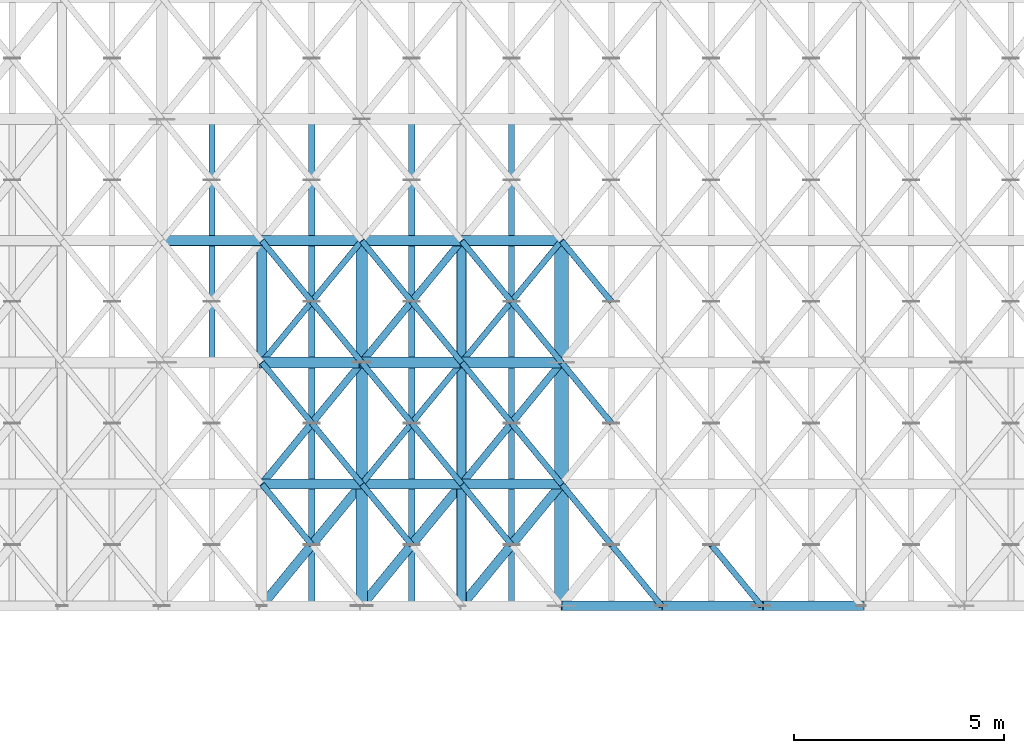
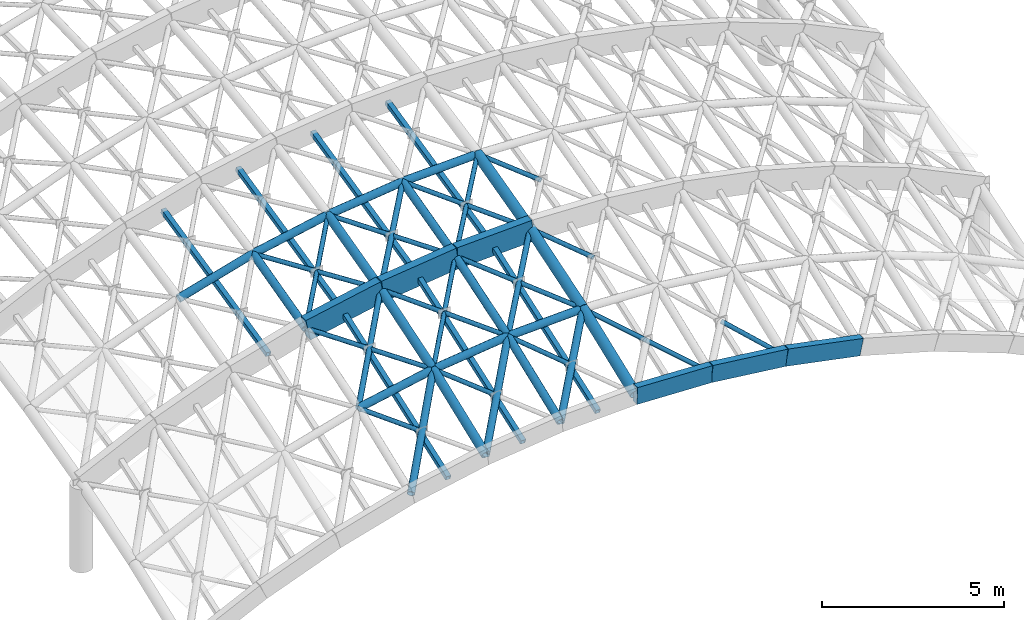
# One storey, part 35 of 146: 53 members, 6 beams.
"""IFC4 building model written with IfcOpenShell, lengths in metres."""

from ifc_helpers import new_model, si_unit, direction, frame, origin, origin_2d, place, context, subcontext, project, spatial, rectangle, hollow_rectangle, hollow_circle, extrude, material, material_profile, profile_set, type_object, element, save


model = new_model("IFC4")

# Units and contexts
model_context = context("Model", 3, precision=1e-05, world=origin(), true_north=direction((0.0, 1.0)))
body_context = subcontext(model_context, "Body", "Model", "MODEL_VIEW")
ifc_project = project(units=[si_unit("LENGTHUNIT", "METRE"), si_unit("AREAUNIT", "SQUARE_METRE"), si_unit("VOLUMEUNIT", "CUBIC_METRE"), si_unit("PLANEANGLEUNIT", "RADIAN"), si_unit("MASSUNIT", "GRAM", prefix="KILO")], contexts=[model_context])

# Site, building, storey
site_placement = place(None, origin())
site = spatial("IfcSite", under=ifc_project, at=site_placement, CompositionType="ELEMENT")
building_placement = place(site_placement, origin())
building = spatial("IfcBuilding", under=site, at=building_placement, Name="Valcora Specialist Clinic", CompositionType="ELEMENT")
storey_placement = place(building_placement, frame((0.0, 0.0, 9.52001953125)))
storey = spatial("IfcBuildingStorey", under=building, at=storey_placement, Name="L02", CompositionType="ELEMENT", Elevation=9.52001953125)

# Beams
ifc_material_1 = material(Name="Glulam Conifer Class 24F", Category="wood")
ifc_material_profile_1 = material_profile(ifc_material_1, rectangle(XDim=0.219970703125, YDim=0.56005859375, at=origin_2d()), Name="GL-ARC-220X560")
ifc_profile_set_1 = profile_set([ifc_material_profile_1], Name="Glulam Conifer Class 24F")
beam_type_1 = type_object("IfcBeamType", Name="TY-AR-GL560", PredefinedType="JOIST", material=ifc_profile_set_1)
beam_1_placement = place(storey_placement, frame((15.0, 38.75, 4.295166015625), z_axis=(0.999229898969, 0.0, -0.039237851707), x_axis=(0.0, 1.0, 0.0)))
element("IfcBeam", 1, at=beam_1_placement, inside=storey, type_object=beam_type_1, Name="Gridshell glulam arch chord BM-GSA-007", PredefinedType="JOIST", context=body_context, shape_type="SweptSolid", body=[
    extrude(rectangle(XDim=0.219970703125, YDim=0.56005859375, at=origin_2d()), origin(), (0.0, 0.0, 1.0), 2.376708984375),
])
beam_2_placement = place(storey_placement, frame((17.375, 38.75, 4.201904296875), z_axis=(0.993061123194, 0.0, -0.117599343536), x_axis=(0.0, 1.0, 0.0)))
element("IfcBeam", 2, at=beam_2_placement, inside=storey, type_object=beam_type_1, Name="Gridshell glulam arch chord BM-GSA-008", PredefinedType="JOIST", context=body_context, shape_type="SweptSolid", body=[
    extrude(rectangle(XDim=0.219970703125, YDim=0.56005859375, at=origin_2d()), origin(), (0.0, 0.0, 1.0), 2.3916015625),
])
beam_3_placement = place(storey_placement, frame((19.75, 38.75, 3.920654296875), z_axis=(0.980592304853, 0.0, -0.19605798036), x_axis=(0.0, 1.0, 0.0)))
element("IfcBeam", 3, at=beam_3_placement, inside=storey, type_object=beam_type_1, Name="Gridshell glulam arch chord BM-GSA-009", PredefinedType="JOIST", context=body_context, shape_type="SweptSolid", body=[
    extrude(rectangle(XDim=0.219970703125, YDim=0.56005859375, at=origin_2d()), origin(), (0.0, 0.0, 1.0), 2.422119140625),
])
ifc_material_profile_2 = material_profile(ifc_material_1, rectangle(XDim=0.260009765625, YDim=0.719970703125, at=origin_2d()), Name="GL-ARC-260X720")
ifc_profile_set_2 = profile_set([ifc_material_profile_2], Name="Glulam Conifer Class 24F")
beam_type_2 = type_object("IfcBeamType", Name="TY-AR-GL720", PredefinedType="JOIST", material=ifc_profile_set_2)
beam_4_placement = place(storey_placement, frame((7.875, 44.535888671875, 5.498779296875), z_axis=(0.980611679738, 0.0, 0.195961051132), x_axis=(0.0, 1.0, 0.0)))
element("IfcBeam", 4, at=beam_4_placement, inside=storey, type_object=beam_type_2, Name="Gridshell glulam arch chord BM-GSA-016", PredefinedType="JOIST", context=body_context, shape_type="SweptSolid", body=[
    extrude(rectangle(XDim=0.260009765625, YDim=0.719970703125, at=origin_2d()), origin(), (0.0, 0.0, 1.0), 2.421875),
])
beam_5_placement = place(storey_placement, frame((10.25, 44.535888671875, 5.973388671875), z_axis=(0.993061123194, 0.0, 0.117599343536), x_axis=(0.0, 1.0, 0.0)))
element("IfcBeam", 5, at=beam_5_placement, inside=storey, type_object=beam_type_2, Name="Gridshell glulam arch chord BM-GSA-017", PredefinedType="JOIST", context=body_context, shape_type="SweptSolid", body=[
    extrude(rectangle(XDim=0.260009765625, YDim=0.719970703125, at=origin_2d()), origin(), (0.0, 0.0, 1.0), 2.3916015625),
])
beam_6_placement = place(storey_placement, frame((12.625, 44.535888671875, 6.254638671875), z_axis=(0.999229898969, 0.0, 0.039237851707), x_axis=(0.0, 1.0, 0.0)))
element("IfcBeam", 6, at=beam_6_placement, inside=storey, type_object=beam_type_2, Name="Gridshell glulam arch chord BM-GSA-018", PredefinedType="JOIST", context=body_context, shape_type="SweptSolid", body=[
    extrude(rectangle(XDim=0.260009765625, YDim=0.719970703125, at=origin_2d()), origin(), (0.0, 0.0, 1.0), 2.376708984375),
])

# Members
ifc_material_2 = material(Name="Steel ASTM A500 Grade C", Category="steel")
ifc_material_profile_3 = material_profile(ifc_material_2, hollow_circle(Radius=0.1220703125, WallThickness=0.010009765625, at=origin_2d()), Name="ST-CHS-244X10")
ifc_profile_set_3 = profile_set([ifc_material_profile_3], Name="Steel ASTM A500 Grade C")
member_type_1 = type_object("IfcMemberType", Name="TY-MB-GSC244", PredefinedType="CHORD", material=ifc_profile_set_3)
member_1_placement = place(storey_placement, frame((7.875, 44.535888671875, 5.498779296875), z_axis=(0.0, 0.968140082086, 0.250409227983), x_axis=(-1.0, 0.0, 0.0)))
element("IfcMember", 7, at=member_1_placement, inside=storey, type_object=member_type_1, Name="Gridshell longitudinal chord MB-L02-0045", PredefinedType="CHORD", context=body_context, shape_type="SweptSolid", body=[
    extrude(hollow_circle(Radius=0.1220703125, WallThickness=0.010009765625, at=origin_2d()), origin(), (0.0, 0.0, 1.0), 2.98828125),
])
member_2_placement = place(storey_placement, frame((12.625, 38.75, 4.201904296875), z_axis=(0.0, 0.93227902247, 0.361739995386), x_axis=(-1.0, 0.0, 0.0)))
element("IfcMember", 8, at=member_2_placement, inside=storey, type_object=member_type_1, Name="Gridshell longitudinal chord MB-L02-0071", PredefinedType="CHORD", context=body_context, shape_type="SweptSolid", body=[
    extrude(hollow_circle(Radius=0.1220703125, WallThickness=0.010009765625, at=origin_2d()), origin(), (0.0, 0.0, 1.0), 3.103271484375),
])
member_3_placement = place(storey_placement, frame((12.625, 41.64306640625, 5.324462890625), z_axis=(0.0, 0.95199595387, 0.30611060716), x_axis=(-1.0, 0.0, 0.0)))
element("IfcMember", 9, at=member_3_placement, inside=storey, type_object=member_type_1, Name="Gridshell longitudinal chord MB-L02-0072", PredefinedType="CHORD", context=body_context, shape_type="SweptSolid", body=[
    extrude(hollow_circle(Radius=0.1220703125, WallThickness=0.010009765625, at=origin_2d()), origin(), (0.0, 0.0, 1.0), 3.03857421875),
])
member_4_placement = place(storey_placement, frame((12.625, 44.535888671875, 6.254638671875), z_axis=(0.0, 0.968120272933, 0.250485802263), x_axis=(-1.0, 0.0, 0.0)))
element("IfcMember", 10, at=member_4_placement, inside=storey, type_object=member_type_1, Name="Gridshell longitudinal chord MB-L02-0073", PredefinedType="CHORD", context=body_context, shape_type="SweptSolid", body=[
    extrude(hollow_circle(Radius=0.1220703125, WallThickness=0.010009765625, at=origin_2d()), origin(), (0.0, 0.0, 1.0), 2.98828125),
])
member_5_placement = place(storey_placement, frame((7.875, 41.64306640625, 4.568359375), z_axis=(0.980592304853, 0.0, 0.19605798036), x_axis=(0.0, 1.0, 0.0)))
element("IfcMember", 11, at=member_5_placement, inside=storey, type_object=member_type_1, Name="Gridshell secondary transverse chord MB-L02-0270", PredefinedType="CHORD", context=body_context, shape_type="SweptSolid", body=[
    extrude(hollow_circle(Radius=0.1220703125, WallThickness=0.010009765625, at=origin_2d()), origin(), (0.0, 0.0, 1.0), 2.422119140625),
])
member_6_placement = place(storey_placement, frame((10.25, 41.64306640625, 5.043212890625), z_axis=(0.993061123194, 0.0, 0.117599343536), x_axis=(0.0, 1.0, 0.0)))
element("IfcMember", 12, at=member_6_placement, inside=storey, type_object=member_type_1, Name="Gridshell secondary transverse chord MB-L02-0271", PredefinedType="CHORD", context=body_context, shape_type="SweptSolid", body=[
    extrude(hollow_circle(Radius=0.1220703125, WallThickness=0.010009765625, at=origin_2d()), origin(), (0.0, 0.0, 1.0), 2.3916015625),
])
member_7_placement = place(storey_placement, frame((12.625, 41.64306640625, 5.324462890625), z_axis=(0.999229898969, 0.0, 0.039237851707), x_axis=(0.0, 1.0, 0.0)))
element("IfcMember", 13, at=member_7_placement, inside=storey, type_object=member_type_1, Name="Gridshell secondary transverse chord MB-L02-0272", PredefinedType="CHORD", context=body_context, shape_type="SweptSolid", body=[
    extrude(hollow_circle(Radius=0.1220703125, WallThickness=0.010009765625, at=origin_2d()), origin(), (0.0, 0.0, 1.0), 2.376708984375),
])
member_8_placement = place(storey_placement, frame((5.5, 47.428955078125, 5.5693359375), z_axis=(0.961613421173, 0.0, 0.274407777259), x_axis=(0.0, 1.0, 0.0)))
element("IfcMember", 14, at=member_8_placement, inside=storey, type_object=member_type_1, Name="Gridshell secondary transverse chord MB-L02-0281", PredefinedType="CHORD", context=body_context, shape_type="SweptSolid", body=[
    extrude(hollow_circle(Radius=0.1220703125, WallThickness=0.010009765625, at=origin_2d()), origin(), (0.0, 0.0, 1.0), 2.4697265625),
])
member_9_placement = place(storey_placement, frame((7.875, 47.428955078125, 6.2470703125), z_axis=(0.980611679738, 0.0, 0.195961051132), x_axis=(0.0, 1.0, 0.0)))
element("IfcMember", 15, at=member_9_placement, inside=storey, type_object=member_type_1, Name="Gridshell secondary transverse chord MB-L02-0282", PredefinedType="CHORD", context=body_context, shape_type="SweptSolid", body=[
    extrude(hollow_circle(Radius=0.1220703125, WallThickness=0.010009765625, at=origin_2d()), origin(), (0.0, 0.0, 1.0), 2.421875),
])
member_10_placement = place(storey_placement, frame((10.25, 47.428955078125, 6.7216796875), z_axis=(0.993049196669, 0.0, 0.117700012722), x_axis=(0.0, 1.0, 0.0)))
element("IfcMember", 16, at=member_10_placement, inside=storey, type_object=member_type_1, Name="Gridshell secondary transverse chord MB-L02-0283", PredefinedType="CHORD", context=body_context, shape_type="SweptSolid", body=[
    extrude(hollow_circle(Radius=0.1220703125, WallThickness=0.010009765625, at=origin_2d()), origin(), (0.0, 0.0, 1.0), 2.3916015625),
])
member_11_placement = place(storey_placement, frame((12.625, 47.428955078125, 7.003173828125), z_axis=(0.999233921008, 0.0, 0.039135292342), x_axis=(0.0, 1.0, 0.0)))
element("IfcMember", 17, at=member_11_placement, inside=storey, type_object=member_type_1, Name="Gridshell secondary transverse chord MB-L02-0284", PredefinedType="CHORD", context=body_context, shape_type="SweptSolid", body=[
    extrude(hollow_circle(Radius=0.1220703125, WallThickness=0.010009765625, at=origin_2d()), origin(), (0.0, 0.0, 1.0), 2.376708984375),
])
ifc_material_profile_4 = material_profile(ifc_material_2, hollow_circle(Radius=0.136474609375, WallThickness=0.011962890625, at=origin_2d()), Name="ST-CHS-273X12")
ifc_profile_set_4 = profile_set([ifc_material_profile_4], Name="Steel ASTM A500 Grade C")
member_type_2 = type_object("IfcMemberType", Name="TY-MB-GSC273", PredefinedType="CHORD", material=ifc_profile_set_4)
member_12_placement = place(storey_placement, frame((10.25, 38.75, 3.920654296875), z_axis=(0.0, 0.93227902247, 0.361739995386), x_axis=(-1.0, 0.0, 0.0)))
element("IfcMember", 18, at=member_12_placement, inside=storey, type_object=member_type_2, Name="Gridshell longitudinal chord MB-L02-0057", PredefinedType="CHORD", context=body_context, shape_type="SweptSolid", body=[
    extrude(hollow_circle(Radius=0.136474609375, WallThickness=0.011962890625, at=origin_2d()), origin(), (0.0, 0.0, 1.0), 3.103271484375),
])
member_13_placement = place(storey_placement, frame((10.25, 41.64306640625, 5.043212890625), z_axis=(0.0, 0.95199595387, 0.30611060716), x_axis=(-1.0, 0.0, 0.0)))
element("IfcMember", 19, at=member_13_placement, inside=storey, type_object=member_type_2, Name="Gridshell longitudinal chord MB-L02-0058", PredefinedType="CHORD", context=body_context, shape_type="SweptSolid", body=[
    extrude(hollow_circle(Radius=0.136474609375, WallThickness=0.011962890625, at=origin_2d()), origin(), (0.0, 0.0, 1.0), 3.03857421875),
])
member_14_placement = place(storey_placement, frame((10.25, 44.535888671875, 5.973388671875), z_axis=(0.0, 0.968140082086, 0.250409227983), x_axis=(-1.0, 0.0, 0.0)))
element("IfcMember", 20, at=member_14_placement, inside=storey, type_object=member_type_2, Name="Gridshell longitudinal chord MB-L02-0059", PredefinedType="CHORD", context=body_context, shape_type="SweptSolid", body=[
    extrude(hollow_circle(Radius=0.136474609375, WallThickness=0.011962890625, at=origin_2d()), origin(), (0.0, 0.0, 1.0), 2.98828125),
])
ifc_material_profile_5 = material_profile(ifc_material_2, hollow_circle(Radius=0.162109375, WallThickness=0.011962890625, at=origin_2d()), Name="ST-CHS-324X12")
ifc_profile_set_5 = profile_set([ifc_material_profile_5], Name="Steel ASTM A500 Grade C")
member_type_3 = type_object("IfcMemberType", Name="TY-MB-GSC324", PredefinedType="CHORD", material=ifc_profile_set_5)
member_15_placement = place(storey_placement, frame((15.0, 38.75, 4.295166015625), z_axis=(0.0, 0.93227902247, 0.361739995386), x_axis=(-1.0, 0.0, 0.0)))
element("IfcMember", 21, at=member_15_placement, inside=storey, type_object=member_type_3, Name="Gridshell longitudinal chord MB-L02-0085", PredefinedType="CHORD", context=body_context, shape_type="SweptSolid", body=[
    extrude(hollow_circle(Radius=0.162109375, WallThickness=0.011962890625, at=origin_2d()), origin(), (0.0, 0.0, 1.0), 3.103271484375),
])
member_16_placement = place(storey_placement, frame((15.0, 41.64306640625, 5.417724609375), z_axis=(0.0, 0.95199595387, 0.30611060716), x_axis=(-1.0, 0.0, 0.0)))
element("IfcMember", 22, at=member_16_placement, inside=storey, type_object=member_type_3, Name="Gridshell longitudinal chord MB-L02-0086", PredefinedType="CHORD", context=body_context, shape_type="SweptSolid", body=[
    extrude(hollow_circle(Radius=0.162109375, WallThickness=0.011962890625, at=origin_2d()), origin(), (0.0, 0.0, 1.0), 3.03857421875),
])
member_17_placement = place(storey_placement, frame((15.0, 44.535888671875, 6.347900390625), z_axis=(0.0, 0.968140082086, 0.250409227983), x_axis=(-1.0, 0.0, 0.0)))
element("IfcMember", 23, at=member_17_placement, inside=storey, type_object=member_type_3, Name="Gridshell longitudinal chord MB-L02-0087", PredefinedType="CHORD", context=body_context, shape_type="SweptSolid", body=[
    extrude(hollow_circle(Radius=0.162109375, WallThickness=0.011962890625, at=origin_2d()), origin(), (0.0, 0.0, 1.0), 2.98828125),
])
ifc_material_profile_6 = material_profile(ifc_material_2, hollow_circle(Radius=0.070068359375, WallThickness=0.006103515625, at=origin_2d()), Name="ST-CHS-140X6")
ifc_profile_set_6 = profile_set([ifc_material_profile_6], Name="Steel ASTM A500 Grade C")
member_type_4 = type_object("IfcMemberType", Name="TY-MB-GSD140", PredefinedType="BRACE", material=ifc_profile_set_6)
member_18_placement = place(storey_placement, frame((10.25, 41.64306640625, 5.043212890625), z_axis=(-0.62986050141, 0.767254003053, 0.120818225291), x_axis=(-0.772915884105, -0.634508499626, 0.0)))
element("IfcMember", 24, at=member_18_placement, inside=storey, type_object=member_type_4, Name="Gridshell split counter diagrid A MB-L02-0438", PredefinedType="BRACE", context=body_context, shape_type="SweptSolid", body=[
    extrude(hollow_circle(Radius=0.070068359375, WallThickness=0.006103515625, at=origin_2d()), origin(), (0.0, 0.0, 1.0), 1.88525390625),
])
member_19_placement = place(storey_placement, frame((7.875, 44.535888671875, 5.498779296875), z_axis=(0.60313497592, 0.734698752534, 0.310557472696), x_axis=(-0.772915884105, 0.634508499626, 0.0)))
element("IfcMember", 25, at=member_19_placement, inside=storey, type_object=member_type_4, Name="Gridshell primary diagrid MB-L02-0439", PredefinedType="BRACE", context=body_context, shape_type="SweptSolid", body=[
    extrude(hollow_circle(Radius=0.070068359375, WallThickness=0.006103515625, at=origin_2d()), origin(), (0.0, 0.0, 1.0), 3.937744140625),
])
member_20_placement = place(storey_placement, frame((10.25, 44.535888671875, 5.973388671875), z_axis=(-0.632816186426, 0.770854421171, 0.072987228739), x_axis=(-0.772915884105, -0.634508499626, 0.0)))
element("IfcMember", 26, at=member_20_placement, inside=storey, type_object=member_type_4, Name="Gridshell split counter diagrid A MB-L02-0440", PredefinedType="BRACE", context=body_context, shape_type="SweptSolid", body=[
    extrude(hollow_circle(Radius=0.070068359375, WallThickness=0.006103515625, at=origin_2d()), origin(), (0.0, 0.0, 1.0), 1.87646484375),
])
member_21_placement = place(storey_placement, frame((10.25, 41.64306640625, 5.043212890625), z_axis=(0.603706513759, 0.735332903118, 0.307935004243), x_axis=(-0.772889622479, 0.634540488436, 0.0)))
element("IfcMember", 27, at=member_21_placement, inside=storey, type_object=member_type_4, Name="Gridshell primary diagrid MB-L02-0465", PredefinedType="BRACE", context=body_context, shape_type="SweptSolid", body=[
    extrude(hollow_circle(Radius=0.070068359375, WallThickness=0.006103515625, at=origin_2d()), origin(), (0.0, 0.0, 1.0), 3.93408203125),
])
member_22_placement = place(storey_placement, frame((12.625, 41.64306640625, 5.324462890625), z_axis=(-0.625182669636, 0.761555780755, 0.170819853607), x_axis=(-0.772915884105, -0.634508499626, 0.0)))
element("IfcMember", 28, at=member_22_placement, inside=storey, type_object=member_type_4, Name="Gridshell split counter diagrid A MB-L02-0466", PredefinedType="BRACE", context=body_context, shape_type="SweptSolid", body=[
    extrude(hollow_circle(Radius=0.070068359375, WallThickness=0.006103515625, at=origin_2d()), origin(), (0.0, 0.0, 1.0), 1.8994140625),
])
member_23_placement = place(storey_placement, frame((12.625, 44.535888671875, 6.254638671875), z_axis=(-0.629621091913, 0.766962370391, 0.123878985395), x_axis=(-0.772915884105, -0.634508499626, 0.0)))
element("IfcMember", 29, at=member_23_placement, inside=storey, type_object=member_type_4, Name="Gridshell split counter diagrid A MB-L02-0468", PredefinedType="BRACE", context=body_context, shape_type="SweptSolid", body=[
    extrude(hollow_circle(Radius=0.070068359375, WallThickness=0.006103515625, at=origin_2d()), origin(), (0.0, 0.0, 1.0), 1.885986328125),
])
member_24_placement = place(storey_placement, frame((15.0, 41.64306640625, 5.417724609375), z_axis=(-0.619218948621, 0.75429117405, 0.218203387734), x_axis=(-0.772915884105, -0.634508499626, 0.0)))
element("IfcMember", 30, at=member_24_placement, inside=storey, type_object=member_type_4, Name="Gridshell split counter diagrid A MB-L02-0494", PredefinedType="BRACE", context=body_context, shape_type="SweptSolid", body=[
    extrude(hollow_circle(Radius=0.070068359375, WallThickness=0.006103515625, at=origin_2d()), origin(), (0.0, 0.0, 1.0), 1.917724609375),
])
member_25_placement = place(storey_placement, frame((12.625, 44.535888671875, 6.254638671875), z_axis=(0.619055150261, 0.754091645826, 0.219354759761), x_axis=(-0.772915884105, 0.634508499626, 0.0)))
element("IfcMember", 31, at=member_25_placement, inside=storey, type_object=member_type_4, Name="Gridshell primary diagrid MB-L02-0495", PredefinedType="BRACE", context=body_context, shape_type="SweptSolid", body=[
    extrude(hollow_circle(Radius=0.070068359375, WallThickness=0.006103515625, at=origin_2d()), origin(), (0.0, 0.0, 1.0), 3.83642578125),
])
member_26_placement = place(storey_placement, frame((15.0, 44.535888671875, 6.347900390625), z_axis=(-0.625003429978, 0.761337442973, 0.172441324636), x_axis=(-0.772915884105, -0.634508499626, 0.0)))
element("IfcMember", 32, at=member_26_placement, inside=storey, type_object=member_type_4, Name="Gridshell split counter diagrid A MB-L02-0496", PredefinedType="BRACE", context=body_context, shape_type="SweptSolid", body=[
    extrude(hollow_circle(Radius=0.070068359375, WallThickness=0.006103515625, at=origin_2d()), origin(), (0.0, 0.0, 1.0), 1.89990234375),
])
member_27_placement = place(storey_placement, frame((17.375, 38.75, 4.201904296875), z_axis=(-0.603471061066, 0.735108149017, 0.308931525916), x_axis=(-0.772915884105, -0.634508499626, 0.0)))
element("IfcMember", 33, at=member_27_placement, inside=storey, type_object=member_type_4, Name="Gridshell split counter diagrid A MB-L02-0520", PredefinedType="BRACE", context=body_context, shape_type="SweptSolid", body=[
    extrude(hollow_circle(Radius=0.070068359375, WallThickness=0.006103515625, at=origin_2d()), origin(), (0.0, 0.0, 1.0), 1.9677734375),
])
member_28_placement = place(storey_placement, frame((19.75, 38.75, 3.920654296875), z_axis=(-0.594100310582, 0.723693326521, 0.351159209071), x_axis=(-0.772915884105, -0.634508499626, 0.0)))
element("IfcMember", 34, at=member_28_placement, inside=storey, type_object=member_type_4, Name="Gridshell split counter diagrid A MB-L02-0548", PredefinedType="BRACE", context=body_context, shape_type="SweptSolid", body=[
    extrude(hollow_circle(Radius=0.070068359375, WallThickness=0.006103515625, at=origin_2d()), origin(), (0.0, 0.0, 1.0), 1.998779296875),
])
member_29_placement = place(storey_placement, frame((9.0625, 40.196533203125, 4.24462890625), z_axis=(-0.625223806606, 0.761605891065, 0.170445470304), x_axis=(-0.772915884105, -0.634508499626, 0.0)))
element("IfcMember", 35, at=member_29_placement, inside=storey, type_object=member_type_4, Name="Gridshell split counter diagrid B 43", PredefinedType="BRACE", context=body_context, shape_type="SweptSolid", body=[
    extrude(hollow_circle(Radius=0.070068359375, WallThickness=0.006103515625, at=origin_2d()), origin(), (0.0, 0.0, 1.0), 1.8994140625),
])
member_30_placement = place(storey_placement, frame((9.0625, 43.089599609375, 5.27099609375), z_axis=(-0.62992308528, 0.767200731332, 0.120830229968), x_axis=(-0.772863356881, -0.634572479384, 0.0)))
element("IfcMember", 36, at=member_30_placement, inside=storey, type_object=member_type_4, Name="Gridshell split counter diagrid B 44", PredefinedType="BRACE", context=body_context, shape_type="SweptSolid", body=[
    extrude(hollow_circle(Radius=0.070068359375, WallThickness=0.006103515625, at=origin_2d()), origin(), (0.0, 0.0, 1.0), 1.88525390625),
])
member_31_placement = place(storey_placement, frame((9.0625, 45.982421875, 6.1103515625), z_axis=(-0.632822190242, 0.770861734619, 0.072857817956), x_axis=(-0.772915884105, -0.634508499626, 0.0)))
element("IfcMember", 37, at=member_31_placement, inside=storey, type_object=member_type_4, Name="Gridshell split counter diagrid B 45", PredefinedType="BRACE", context=body_context, shape_type="SweptSolid", body=[
    extrude(hollow_circle(Radius=0.070068359375, WallThickness=0.006103515625, at=origin_2d()), origin(), (0.0, 0.0, 1.0), 1.87646484375),
])
member_32_placement = place(storey_placement, frame((11.4375, 40.196533203125, 4.62255859375), z_axis=(-0.619063790551, 0.75410217085, 0.219294184029), x_axis=(-0.772915884105, -0.634508499626, 0.0)))
element("IfcMember", 38, at=member_32_placement, inside=storey, type_object=member_type_4, Name="Gridshell split counter diagrid B 57", PredefinedType="BRACE", context=body_context, shape_type="SweptSolid", body=[
    extrude(hollow_circle(Radius=0.070068359375, WallThickness=0.006103515625, at=origin_2d()), origin(), (0.0, 0.0, 1.0), 1.918212890625),
])
member_33_placement = place(storey_placement, frame((11.4375, 43.089599609375, 5.64892578125), z_axis=(-0.625243869313, 0.761501784911, 0.170836575312), x_axis=(-0.772863356881, -0.634572479384, 0.0)))
element("IfcMember", 39, at=member_33_placement, inside=storey, type_object=member_type_4, Name="Gridshell split counter diagrid B 58", PredefinedType="BRACE", context=body_context, shape_type="SweptSolid", body=[
    extrude(hollow_circle(Radius=0.070068359375, WallThickness=0.006103515625, at=origin_2d()), origin(), (0.0, 0.0, 1.0), 1.899169921875),
])
member_34_placement = place(storey_placement, frame((11.4375, 45.982421875, 6.48828125), z_axis=(-0.629631183189, 0.76697466291, 0.12375152367), x_axis=(-0.772915884105, -0.634508499626, 0.0)))
element("IfcMember", 40, at=member_34_placement, inside=storey, type_object=member_type_4, Name="Gridshell split counter diagrid B 59", PredefinedType="BRACE", context=body_context, shape_type="SweptSolid", body=[
    extrude(hollow_circle(Radius=0.070068359375, WallThickness=0.006103515625, at=origin_2d()), origin(), (0.0, 0.0, 1.0), 1.885986328125),
])
member_35_placement = place(storey_placement, frame((13.8125, 40.196533203125, 4.809814453125), z_axis=(-0.611798320584, 0.745251860498, 0.265146147161), x_axis=(-0.772915884105, -0.634508499626, 0.0)))
element("IfcMember", 41, at=member_35_placement, inside=storey, type_object=member_type_4, Name="Gridshell split counter diagrid B 71", PredefinedType="BRACE", context=body_context, shape_type="SweptSolid", body=[
    extrude(hollow_circle(Radius=0.070068359375, WallThickness=0.006103515625, at=origin_2d()), origin(), (0.0, 0.0, 1.0), 1.94091796875),
])
member_36_placement = place(storey_placement, frame((13.8125, 43.089599609375, 5.836181640625), z_axis=(-0.619278413404, 0.754236291326, 0.218224342223), x_axis=(-0.772863356881, -0.634572479384, 0.0)))
element("IfcMember", 42, at=member_36_placement, inside=storey, type_object=member_type_4, Name="Gridshell split counter diagrid B 72", PredefinedType="BRACE", context=body_context, shape_type="SweptSolid", body=[
    extrude(hollow_circle(Radius=0.070068359375, WallThickness=0.006103515625, at=origin_2d()), origin(), (0.0, 0.0, 1.0), 1.91748046875),
])
member_37_placement = place(storey_placement, frame((13.8125, 45.982421875, 6.675537109375), z_axis=(-0.625003429978, 0.761337442973, 0.172441324636), x_axis=(-0.772915884105, -0.634508499626, 0.0)))
element("IfcMember", 43, at=member_37_placement, inside=storey, type_object=member_type_4, Name="Gridshell split counter diagrid B 73", PredefinedType="BRACE", context=body_context, shape_type="SweptSolid", body=[
    extrude(hollow_circle(Radius=0.070068359375, WallThickness=0.006103515625, at=origin_2d()), origin(), (0.0, 0.0, 1.0), 1.89990234375),
])
member_38_placement = place(storey_placement, frame((16.1875, 40.196533203125, 4.809814453125), z_axis=(-0.603471061066, 0.735108149017, 0.308931525916), x_axis=(-0.772915884105, -0.634508499626, 0.0)))
element("IfcMember", 44, at=member_38_placement, inside=storey, type_object=member_type_4, Name="Gridshell split counter diagrid B 85", PredefinedType="BRACE", context=body_context, shape_type="SweptSolid", body=[
    extrude(hollow_circle(Radius=0.070068359375, WallThickness=0.006103515625, at=origin_2d()), origin(), (0.0, 0.0, 1.0), 1.9677734375),
])
member_39_placement = place(storey_placement, frame((16.1875, 43.089599609375, 5.836181640625), z_axis=(-0.612100034971, 0.745493545881, 0.263766791385), x_axis=(-0.772863356881, -0.634572479384, 0.0)))
element("IfcMember", 45, at=member_39_placement, inside=storey, type_object=member_type_4, Name="Gridshell split counter diagrid B 86", PredefinedType="BRACE", context=body_context, shape_type="SweptSolid", body=[
    extrude(hollow_circle(Radius=0.070068359375, WallThickness=0.006103515625, at=origin_2d()), origin(), (0.0, 0.0, 1.0), 1.93994140625),
])
member_40_placement = place(storey_placement, frame((16.1875, 45.982421875, 6.675537109375), z_axis=(-0.619063790551, 0.75410217085, 0.219294184029), x_axis=(-0.772915884105, -0.634508499626, 0.0)))
element("IfcMember", 46, at=member_40_placement, inside=storey, type_object=member_type_4, Name="Gridshell split counter diagrid B 87", PredefinedType="BRACE", context=body_context, shape_type="SweptSolid", body=[
    extrude(hollow_circle(Radius=0.070068359375, WallThickness=0.006103515625, at=origin_2d()), origin(), (0.0, 0.0, 1.0), 1.918212890625),
])
ifc_material_profile_7 = material_profile(ifc_material_2, hollow_circle(Radius=0.083984375, WallThickness=0.008056640625, at=origin_2d()), Name="ST-CHS-168X8")
ifc_profile_set_7 = profile_set([ifc_material_profile_7], Name="Steel ASTM A500 Grade C")
member_type_5 = type_object("IfcMemberType", Name="TY-MB-GSD168", PredefinedType="BRACE", material=ifc_profile_set_7)
member_41_placement = place(storey_placement, frame((7.875, 41.64306640625, 4.568359375), z_axis=(0.594062838159, 0.723586612803, 0.351442396547), x_axis=(-0.772889622479, 0.634540488436, 0.0)))
element("IfcMember", 47, at=member_41_placement, inside=storey, type_object=member_type_5, Name="Gridshell primary diagrid MB-L02-0437", PredefinedType="BRACE", context=body_context, shape_type="SweptSolid", body=[
    extrude(hollow_circle(Radius=0.083984375, WallThickness=0.008056640625, at=origin_2d()), origin(), (0.0, 0.0, 1.0), 3.997802734375),
])
member_42_placement = place(storey_placement, frame((10.25, 44.535888671875, 5.973388671875), z_axis=(0.611777913095, 0.745227001457, 0.265263079506), x_axis=(-0.772915884105, 0.634508499626, 0.0)))
element("IfcMember", 48, at=member_42_placement, inside=storey, type_object=member_type_5, Name="Gridshell primary diagrid MB-L02-0467", PredefinedType="BRACE", context=body_context, shape_type="SweptSolid", body=[
    extrude(hollow_circle(Radius=0.083984375, WallThickness=0.008056640625, at=origin_2d()), origin(), (0.0, 0.0, 1.0), 3.882080078125),
])
member_43_placement = place(storey_placement, frame((12.625, 41.64306640625, 5.324462890625), z_axis=(0.612071323668, 0.745521496108, 0.26375441908), x_axis=(-0.772889622479, 0.634540488436, 0.0)))
element("IfcMember", 49, at=member_43_placement, inside=storey, type_object=member_type_5, Name="Gridshell primary diagrid MB-L02-0493", PredefinedType="BRACE", context=body_context, shape_type="SweptSolid", body=[
    extrude(hollow_circle(Radius=0.083984375, WallThickness=0.008056640625, at=origin_2d()), origin(), (0.0, 0.0, 1.0), 3.88037109375),
])
ifc_material_profile_8 = material_profile(ifc_material_2, hollow_circle(Radius=0.109619140625, WallThickness=0.010009765625, at=origin_2d()), Name="ST-CHS-219X10")
ifc_profile_set_8 = profile_set([ifc_material_profile_8], Name="Steel ASTM A500 Grade C")
member_type_6 = type_object("IfcMemberType", Name="TY-MB-GSD219", PredefinedType="BRACE", material=ifc_profile_set_8)
member_44_placement = place(storey_placement, frame((7.875, 38.75, 3.44580078125), z_axis=(0.583585933879, 0.710885414932, 0.392516731637), x_axis=(-0.772915884105, 0.634508499626, 0.0)))
element("IfcMember", 50, at=member_44_placement, inside=storey, type_object=member_type_6, Name="Gridshell primary diagrid MB-L02-0435", PredefinedType="BRACE", context=body_context, shape_type="SweptSolid", body=[
    extrude(hollow_circle(Radius=0.109619140625, WallThickness=0.010009765625, at=origin_2d()), origin(), (0.0, 0.0, 1.0), 4.069580078125),
])
member_45_placement = place(storey_placement, frame((10.25, 38.75, 3.920654296875), z_axis=(0.594100310582, 0.723693326521, 0.351159209071), x_axis=(-0.772915884105, 0.634508499626, 0.0)))
element("IfcMember", 51, at=member_45_placement, inside=storey, type_object=member_type_6, Name="Gridshell primary diagrid MB-L02-0463", PredefinedType="BRACE", context=body_context, shape_type="SweptSolid", body=[
    extrude(hollow_circle(Radius=0.109619140625, WallThickness=0.010009765625, at=origin_2d()), origin(), (0.0, 0.0, 1.0), 3.99755859375),
])
member_46_placement = place(storey_placement, frame((12.625, 38.75, 4.201904296875), z_axis=(0.603471061066, 0.735108149017, 0.308931525916), x_axis=(-0.772915884105, 0.634508499626, 0.0)))
element("IfcMember", 52, at=member_46_placement, inside=storey, type_object=member_type_6, Name="Gridshell primary diagrid MB-L02-0491", PredefinedType="BRACE", context=body_context, shape_type="SweptSolid", body=[
    extrude(hollow_circle(Radius=0.109619140625, WallThickness=0.010009765625, at=origin_2d()), origin(), (0.0, 0.0, 1.0), 3.935546875),
])
ifc_material_profile_9 = material_profile(ifc_material_2, hollow_rectangle(XDim=0.14990234375, YDim=0.14990234375, WallThickness=0.006103515625, at=origin_2d()), Name="ST-RHS-150X150X6")
ifc_profile_set_9 = profile_set([ifc_material_profile_9], Name="Steel ASTM A500 Grade C")
member_type_7 = type_object("IfcMemberType", Name="TY-MB-PR150", PredefinedType="PURLIN", material=ifc_profile_set_9)
member_47_placement = place(storey_placement, frame((6.68798828125, 44.535888671875, 5.039794921875), z_axis=(0.0, 0.974842673844, 0.22289405836), x_axis=(-1.0, 0.0, 0.0)))
element("IfcMember", 53, at=member_47_placement, inside=storey, type_object=member_type_7, Name="Gridshell secondary purlin MB-L02-0198", PredefinedType="PURLIN", context=body_context, shape_type="SweptSolid", body=[
    extrude(hollow_rectangle(XDim=0.14990234375, YDim=0.14990234375, WallThickness=0.006103515625, at=origin_2d()), origin(), (0.0, 0.0, 1.0), 5.9345703125),
])
member_48_placement = place(storey_placement, frame((9.06201171875, 38.75, 3.563232421875), z_axis=(0.0, 0.942444320141, 0.334363131092), x_axis=(-1.0, 0.0, 0.0)))
element("IfcMember", 54, at=member_48_placement, inside=storey, type_object=member_type_7, Name="Gridshell secondary purlin MB-L02-0204", PredefinedType="PURLIN", context=body_context, shape_type="SweptSolid", body=[
    extrude(hollow_rectangle(XDim=0.14990234375, YDim=0.14990234375, WallThickness=0.006103515625, at=origin_2d()), origin(), (0.0, 0.0, 1.0), 6.13916015625),
])
member_49_placement = place(storey_placement, frame((9.06201171875, 44.535888671875, 5.615966796875), z_axis=(0.0, 0.974842673844, 0.22289405836), x_axis=(-1.0, 0.0, 0.0)))
element("IfcMember", 55, at=member_49_placement, inside=storey, type_object=member_type_7, Name="Gridshell secondary purlin MB-L02-0205", PredefinedType="PURLIN", context=body_context, shape_type="SweptSolid", body=[
    extrude(hollow_rectangle(XDim=0.14990234375, YDim=0.14990234375, WallThickness=0.006103515625, at=origin_2d()), origin(), (0.0, 0.0, 1.0), 5.9345703125),
])
member_50_placement = place(storey_placement, frame((11.43798828125, 38.75, 3.941162109375), z_axis=(0.0, 0.942431788241, 0.33439845172), x_axis=(-1.0, 0.0, 0.0)))
element("IfcMember", 56, at=member_50_placement, inside=storey, type_object=member_type_7, Name="Gridshell secondary purlin MB-L02-0211", PredefinedType="PURLIN", context=body_context, shape_type="SweptSolid", body=[
    extrude(hollow_rectangle(XDim=0.14990234375, YDim=0.14990234375, WallThickness=0.006103515625, at=origin_2d()), origin(), (0.0, 0.0, 1.0), 6.139404296875),
])
member_51_placement = place(storey_placement, frame((11.43798828125, 44.535888671875, 5.994140625), z_axis=(0.0, 0.974842673844, 0.22289405836), x_axis=(-1.0, 0.0, 0.0)))
element("IfcMember", 57, at=member_51_placement, inside=storey, type_object=member_type_7, Name="Gridshell secondary purlin MB-L02-0212", PredefinedType="PURLIN", context=body_context, shape_type="SweptSolid", body=[
    extrude(hollow_rectangle(XDim=0.14990234375, YDim=0.14990234375, WallThickness=0.006103515625, at=origin_2d()), origin(), (0.0, 0.0, 1.0), 5.9345703125),
])
member_52_placement = place(storey_placement, frame((13.81201171875, 38.75, 4.12841796875), z_axis=(0.0, 0.942431788241, 0.33439845172), x_axis=(-1.0, 0.0, 0.0)))
element("IfcMember", 58, at=member_52_placement, inside=storey, type_object=member_type_7, Name="Gridshell secondary purlin MB-L02-0218", PredefinedType="PURLIN", context=body_context, shape_type="SweptSolid", body=[
    extrude(hollow_rectangle(XDim=0.14990234375, YDim=0.14990234375, WallThickness=0.006103515625, at=origin_2d()), origin(), (0.0, 0.0, 1.0), 6.139404296875),
])
member_53_placement = place(storey_placement, frame((13.81201171875, 44.535888671875, 6.181396484375), z_axis=(0.0, 0.974851612216, 0.222854962161), x_axis=(-1.0, 0.0, 0.0)))
element("IfcMember", 59, at=member_53_placement, inside=storey, type_object=member_type_7, Name="Gridshell secondary purlin MB-L02-0219", PredefinedType="PURLIN", context=body_context, shape_type="SweptSolid", body=[
    extrude(hollow_rectangle(XDim=0.14990234375, YDim=0.14990234375, WallThickness=0.006103515625, at=origin_2d()), origin(), (0.0, 0.0, 1.0), 5.934326171875),
])

save(model, "model.ifc")
